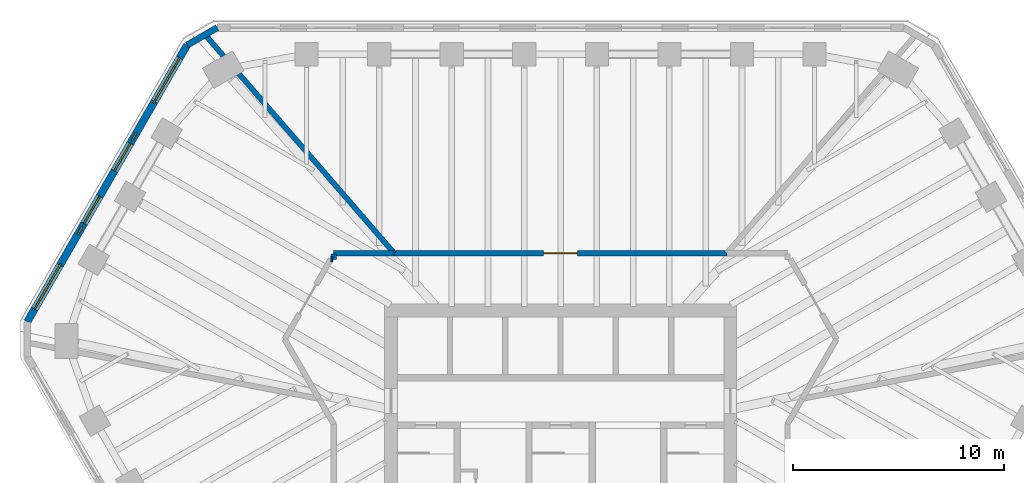
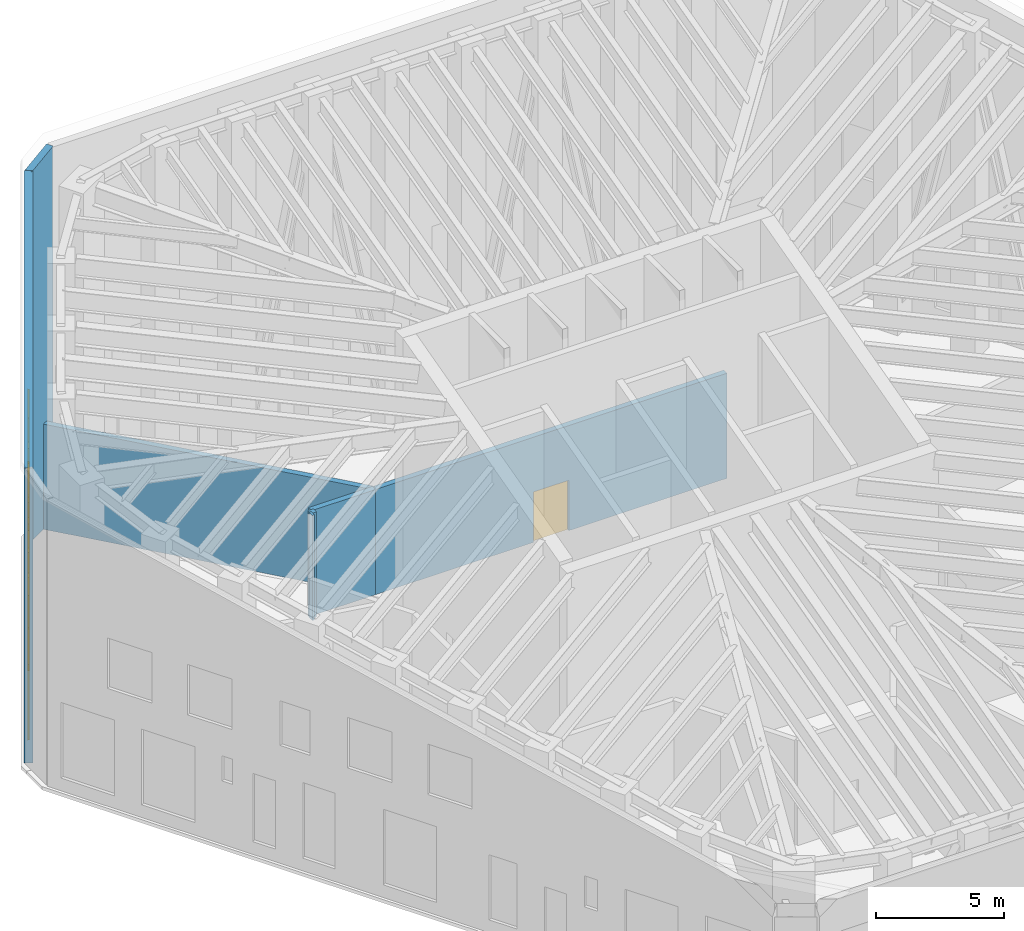
# One storey, part 7 of 9: 10 windows, 7 walls, 1 door, 11 openings.
"""IFC4 building model written with IfcOpenShell, lengths in metres."""

from ifc_helpers import new_model, si_unit, direction, frame, frame_2d, origin, place, context, subcontext, project, spatial, polyline, rectangle, outline, extrude, material, layer, layer_set, type_object, element, fill, save


model = new_model("IFC4")

# Units and contexts
model_context = context("Model", 3, precision=1e-05, world=origin(), true_north=direction((0.0, 1.0)))
body_context = subcontext(model_context, "Body", "Model", "MODEL_VIEW")
ifc_project = project(units=[si_unit("LENGTHUNIT", "METRE"), si_unit("AREAUNIT", "SQUARE_METRE"), si_unit("VOLUMEUNIT", "CUBIC_METRE"), si_unit("PLANEANGLEUNIT", "RADIAN"), si_unit("MASSUNIT", "GRAM", prefix="KILO")], contexts=[model_context])

# Site, building, storey
site_placement = place(None, origin())
site = spatial("IfcSite", under=ifc_project, at=site_placement, CompositionType="ELEMENT")
building_placement = place(site_placement, origin())
building = spatial("IfcBuilding", under=site, at=building_placement, Name="Sandreach Pilgrim Tower", CompositionType="ELEMENT")
storey_placement = place(building_placement, frame((0.0, 0.0, 298.800048828125)))
storey = spatial("IfcBuildingStorey", under=building, at=storey_placement, Name="L75", CompositionType="ELEMENT", Elevation=298.800048828125)

# Wall, openings, windows
ifc_material_1 = material(Name="Terracotta rainscreen on steel studs", Category="masonry")
ifc_layer_1 = layer(ifc_material_1, 0.35009765625)
ifc_layer_set_1 = layer_set([ifc_layer_1], Name="Crown screen wall")
wall_type_1 = type_object("IfcWallType", Name="Crown screen wall", PredefinedType="SOLIDWALL", material=ifc_layer_set_1)
wall_1_placement = place(storey_placement, frame((-25.3193359375, 5.861572265625, 0.0), z_axis=(0.0, 0.0, 1.0), x_axis=(0.499994633804, 0.866028501937, 0.0)))
wall_1 = element("IfcWall", 1, at=wall_1_placement, inside=storey, type_object=wall_type_1, Name="Crown screen wall L75 NW", PredefinedType="SOLIDWALL", context=body_context, shape_type="SweptSolid", body=[
    extrude(outline(polyline([(0.0, 0.0), (15.166748046875, 0.0), (15.166748046875, 17.548828125), (0.0, 14.029296875), (0.0, 0.0)])), frame((0.0, 0.175048828125, 0.0), z_axis=(0.0, -1.0, 0.0), x_axis=(1.0, 0.0, 0.0)), (0.0, 0.0, 1.0), 0.35009765625),
])
opening_1_placement = place(wall_1_placement, frame((0.69580078125, 0.0, 0.60009765625)))
opening_1 = element("IfcOpeningElement", 2, at=opening_1_placement, cuts=wall_1, Name="Opening WL2", PredefinedType="OPENING", context=body_context, shape_type="SweptSolid", body=[
    extrude(rectangle(XDim=2.39990234375, YDim=3.60009765625, at=frame_2d((1.199951171875, 1.800048828125))), frame((0.0, 0.18505859375, 0.0), z_axis=(0.0, -1.0, 0.0), x_axis=(1.0, 0.0, 0.0)), (0.0, 0.0, 1.0), 0.3701171875),
])
opening_2_placement = place(wall_1_placement, frame((5.385009765625, 0.0, 0.60107421875)))
opening_2 = element("IfcOpeningElement", 3, at=opening_2_placement, cuts=wall_1, Name="Opening WL2", PredefinedType="OPENING", context=body_context, shape_type="SweptSolid", body=[
    extrude(rectangle(XDim=1.501953125, YDim=3.59912109375, at=frame_2d((0.7509765625, 1.799560546875))), frame((0.0, 0.18505859375, 0.0), z_axis=(0.0, -1.0, 0.0), x_axis=(1.0, 0.0, 0.0)), (0.0, 0.0, 1.0), 0.3701171875),
])
opening_3_placement = place(wall_1_placement, frame((8.280029296875, 0.0, 0.60107421875)))
opening_3 = element("IfcOpeningElement", 4, at=opening_3_placement, cuts=wall_1, Name="Opening WL2", PredefinedType="OPENING", context=body_context, shape_type="SweptSolid", body=[
    extrude(rectangle(XDim=1.5009765625, YDim=3.59912109375, at=frame_2d((0.75048828125, 1.799560546875))), frame((0.0, 0.18505859375, 0.0), z_axis=(0.0, -1.0, 0.0), x_axis=(1.0, 0.0, 0.0)), (0.0, 0.0, 1.0), 0.3701171875),
])
opening_4_placement = place(wall_1_placement, frame((12.071044921875, 0.0, 0.60009765625)))
opening_4 = element("IfcOpeningElement", 5, at=opening_4_placement, cuts=wall_1, Name="Opening WL2", PredefinedType="OPENING", context=body_context, shape_type="SweptSolid", body=[
    extrude(rectangle(XDim=2.39990234375, YDim=3.60009765625, at=frame_2d((1.199951171875, 1.800048828125))), frame((0.0, 0.18505859375, 0.0), z_axis=(0.0, -1.0, 0.0), x_axis=(1.0, 0.0, 0.0)), (0.0, 0.0, 1.0), 0.3701171875),
])
opening_5_placement = place(wall_1_placement, frame((1.183349609375, 0.0, 5.60009765625)))
opening_5 = element("IfcOpeningElement", 6, at=opening_5_placement, cuts=wall_1, Name="Opening WL1", PredefinedType="OPENING", context=body_context, shape_type="SweptSolid", body=[
    extrude(rectangle(XDim=2.0, YDim=2.39990234375, at=frame_2d((1.0, 1.199951171875))), frame((0.0, 0.18505859375, 0.0), z_axis=(0.0, -1.0, 0.0), x_axis=(1.0, 0.0, 0.0)), (0.0, 0.0, 1.0), 0.3701171875),
])
opening_6_placement = place(wall_1_placement, frame((4.783935546875, 0.0, 6.35107421875)))
opening_6 = element("IfcOpeningElement", 7, at=opening_6_placement, cuts=wall_1, Name="Opening WL1", PredefinedType="OPENING", context=body_context, shape_type="SweptSolid", body=[
    extrude(rectangle(XDim=0.450927734375, YDim=1.64892578125, at=frame_2d((0.2255859375, 0.824462890625))), frame((0.0, 0.18505859375, 0.0), z_axis=(0.0, -1.0, 0.0), x_axis=(1.0, 0.0, 0.0)), (0.0, 0.0, 1.0), 0.3701171875),
])
opening_7_placement = place(wall_1_placement, frame((6.243896484375, 0.0, 5.60107421875)))
opening_7 = element("IfcOpeningElement", 8, at=opening_7_placement, cuts=wall_1, Name="Opening WL1", PredefinedType="OPENING", context=body_context, shape_type="SweptSolid", body=[
    extrude(rectangle(XDim=0.5390625, YDim=2.39892578125, at=frame_2d((0.26953125, 1.199462890625))), frame((0.0, 0.18505859375, 0.0), z_axis=(0.0, -1.0, 0.0), x_axis=(1.0, 0.0, 0.0)), (0.0, 0.0, 1.0), 0.3701171875),
])
opening_8_placement = place(wall_1_placement, frame((8.384033203125, 0.0, 5.60107421875)))
opening_8 = element("IfcOpeningElement", 9, at=opening_8_placement, cuts=wall_1, Name="Opening WL1", PredefinedType="OPENING", context=body_context, shape_type="SweptSolid", body=[
    extrude(rectangle(XDim=0.5380859375, YDim=2.39892578125, at=frame_2d((0.26904296875, 1.199462890625))), frame((0.0, 0.18505859375, 0.0), z_axis=(0.0, -1.0, 0.0), x_axis=(1.0, 0.0, 0.0)), (0.0, 0.0, 1.0), 0.3701171875),
])
opening_9_placement = place(wall_1_placement, frame((9.931884765625, 0.0, 6.35107421875)))
opening_9 = element("IfcOpeningElement", 10, at=opening_9_placement, cuts=wall_1, Name="Opening WL1", PredefinedType="OPENING", context=body_context, shape_type="SweptSolid", body=[
    extrude(rectangle(XDim=0.450927734375, YDim=1.64892578125, at=frame_2d((0.2255859375, 0.824462890625))), frame((0.0, 0.18505859375, 0.0), z_axis=(0.0, -1.0, 0.0), x_axis=(1.0, 0.0, 0.0)), (0.0, 0.0, 1.0), 0.3701171875),
])
opening_10_placement = place(wall_1_placement, frame((11.9833984375, 0.0, 5.60009765625)))
opening_10 = element("IfcOpeningElement", 11, at=opening_10_placement, cuts=wall_1, Name="Opening WL1", PredefinedType="OPENING", context=body_context, shape_type="SweptSolid", body=[
    extrude(rectangle(XDim=2.0, YDim=2.39990234375, at=frame_2d((1.0, 1.199951171875))), frame((0.0, 0.18505859375, 0.0), z_axis=(0.0, -1.0, 0.0), x_axis=(1.0, 0.0, 0.0)), (0.0, 0.0, 1.0), 0.3701171875),
])
ifc_material_2 = material(Name="Aluminium weather louvre", Category="aluminium")
window_type_1 = type_object("IfcWindowType", Name="Crown louvre window", PartitioningType="SINGLE_PANEL", PredefinedType="WINDOW", material=ifc_material_2)
window_1_placement = place(opening_5_placement, origin())
window_1 = element("IfcWindow", 12, at=window_1_placement, inside=storey, type_object=window_type_1, Name="Crown louvre NW 1", OverallHeight=2.39990234375, OverallWidth=2.0, PartitioningType="SINGLE_PANEL", PredefinedType="WINDOW", context=body_context, shape_type="SweptSolid", body=[
    extrude(rectangle(XDim=2.0, YDim=2.39990234375, at=frame_2d((1.0, 1.199951171875))), frame((0.0, 0.030029296875, 0.0), z_axis=(0.0, -1.0, 0.0), x_axis=(1.0, 0.0, 0.0)), (0.0, 0.0, 1.0), 0.06005859375),
])
fill(opening_5, window_1)
window_2_placement = place(opening_6_placement, origin())
window_2 = element("IfcWindow", 13, at=window_2_placement, inside=storey, type_object=window_type_1, Name="Crown louvre NW 2 (b)", OverallHeight=1.64892578125, OverallWidth=0.450927734375, PartitioningType="SINGLE_PANEL", PredefinedType="WINDOW", context=body_context, shape_type="SweptSolid", body=[
    extrude(rectangle(XDim=0.450927734375, YDim=1.64892578125, at=frame_2d((0.2255859375, 0.824462890625))), frame((0.0, 0.030029296875, 0.0), z_axis=(0.0, -1.0, 0.0), x_axis=(1.0, 0.0, 0.0)), (0.0, 0.0, 1.0), 0.06005859375),
])
fill(opening_6, window_2)
window_3_placement = place(opening_7_placement, origin())
window_3 = element("IfcWindow", 14, at=window_3_placement, inside=storey, type_object=window_type_1, Name="Crown louvre NW 2", OverallHeight=2.39892578125, OverallWidth=0.5390625, PartitioningType="SINGLE_PANEL", PredefinedType="WINDOW", context=body_context, shape_type="SweptSolid", body=[
    extrude(rectangle(XDim=0.5390625, YDim=2.39892578125, at=frame_2d((0.26953125, 1.199462890625))), frame((0.0, 0.030029296875, 0.0), z_axis=(0.0, -1.0, 0.0), x_axis=(1.0, 0.0, 0.0)), (0.0, 0.0, 1.0), 0.06005859375),
])
fill(opening_7, window_3)
window_4_placement = place(opening_8_placement, origin())
window_4 = element("IfcWindow", 15, at=window_4_placement, inside=storey, type_object=window_type_1, Name="Crown louvre NW 3", OverallHeight=2.39892578125, OverallWidth=0.5380859375, PartitioningType="SINGLE_PANEL", PredefinedType="WINDOW", context=body_context, shape_type="SweptSolid", body=[
    extrude(rectangle(XDim=0.5380859375, YDim=2.39892578125, at=frame_2d((0.26904296875, 1.199462890625))), frame((0.0, 0.030029296875, 0.0), z_axis=(0.0, -1.0, 0.0), x_axis=(1.0, 0.0, 0.0)), (0.0, 0.0, 1.0), 0.06005859375),
])
fill(opening_8, window_4)
window_5_placement = place(opening_9_placement, origin())
window_5 = element("IfcWindow", 16, at=window_5_placement, inside=storey, type_object=window_type_1, Name="Crown louvre NW 3 (b)", OverallHeight=1.64892578125, OverallWidth=0.450927734375, PartitioningType="SINGLE_PANEL", PredefinedType="WINDOW", context=body_context, shape_type="SweptSolid", body=[
    extrude(rectangle(XDim=0.450927734375, YDim=1.64892578125, at=frame_2d((0.2255859375, 0.824462890625))), frame((0.0, 0.030029296875, 0.0), z_axis=(0.0, -1.0, 0.0), x_axis=(1.0, 0.0, 0.0)), (0.0, 0.0, 1.0), 0.06005859375),
])
fill(opening_9, window_5)
window_6_placement = place(opening_10_placement, origin())
window_6 = element("IfcWindow", 17, at=window_6_placement, inside=storey, type_object=window_type_1, Name="Crown louvre NW 4", OverallHeight=2.39990234375, OverallWidth=2.0, PartitioningType="SINGLE_PANEL", PredefinedType="WINDOW", context=body_context, shape_type="SweptSolid", body=[
    extrude(rectangle(XDim=2.0, YDim=2.39990234375, at=frame_2d((1.0, 1.199951171875))), frame((0.0, 0.030029296875, 0.0), z_axis=(0.0, -1.0, 0.0), x_axis=(1.0, 0.0, 0.0)), (0.0, 0.0, 1.0), 0.06005859375),
])
fill(opening_10, window_6)
ifc_material_3 = material(Name="Aluminium weather louvre", Category="aluminium")
window_type_2 = type_object("IfcWindowType", Name="Plant louvre window", PartitioningType="SINGLE_PANEL", PredefinedType="WINDOW", material=ifc_material_3)
window_7_placement = place(opening_1_placement, origin())
window_7 = element("IfcWindow", 18, at=window_7_placement, inside=storey, type_object=window_type_2, Name="Plant louvre NW 1", OverallHeight=3.60009765625, OverallWidth=2.39990234375, PartitioningType="SINGLE_PANEL", PredefinedType="WINDOW", context=body_context, shape_type="SweptSolid", body=[
    extrude(rectangle(XDim=2.39990234375, YDim=3.60009765625, at=frame_2d((1.199951171875, 1.800048828125))), frame((0.0, 0.030029296875, 0.0), z_axis=(0.0, -1.0, 0.0), x_axis=(1.0, 0.0, 0.0)), (0.0, 0.0, 1.0), 0.06005859375),
])
fill(opening_1, window_7)
window_8_placement = place(opening_2_placement, origin())
window_8 = element("IfcWindow", 19, at=window_8_placement, inside=storey, type_object=window_type_2, Name="Plant louvre NW 2", OverallHeight=3.59912109375, OverallWidth=1.501953125, PartitioningType="SINGLE_PANEL", PredefinedType="WINDOW", context=body_context, shape_type="SweptSolid", body=[
    extrude(rectangle(XDim=1.501953125, YDim=3.59912109375, at=frame_2d((0.7509765625, 1.799560546875))), frame((0.0, 0.030029296875, 0.0), z_axis=(0.0, -1.0, 0.0), x_axis=(1.0, 0.0, 0.0)), (0.0, 0.0, 1.0), 0.06005859375),
])
fill(opening_2, window_8)
window_9_placement = place(opening_3_placement, origin())
window_9 = element("IfcWindow", 20, at=window_9_placement, inside=storey, type_object=window_type_2, Name="Plant louvre NW 3", OverallHeight=3.59912109375, OverallWidth=1.5009765625, PartitioningType="SINGLE_PANEL", PredefinedType="WINDOW", context=body_context, shape_type="SweptSolid", body=[
    extrude(rectangle(XDim=1.5009765625, YDim=3.59912109375, at=frame_2d((0.75048828125, 1.799560546875))), frame((0.0, 0.030029296875, 0.0), z_axis=(0.0, -1.0, 0.0), x_axis=(1.0, 0.0, 0.0)), (0.0, 0.0, 1.0), 0.06005859375),
])
fill(opening_3, window_9)
window_10_placement = place(opening_4_placement, origin())
window_10 = element("IfcWindow", 21, at=window_10_placement, inside=storey, type_object=window_type_2, Name="Plant louvre NW 4", OverallHeight=3.60009765625, OverallWidth=2.39990234375, PartitioningType="SINGLE_PANEL", PredefinedType="WINDOW", context=body_context, shape_type="SweptSolid", body=[
    extrude(rectangle(XDim=2.39990234375, YDim=3.60009765625, at=frame_2d((1.199951171875, 1.800048828125))), frame((0.0, 0.030029296875, 0.0), z_axis=(0.0, -1.0, 0.0), x_axis=(1.0, 0.0, 0.0)), (0.0, 0.0, 1.0), 0.06005859375),
])
fill(opening_4, window_10)

# Walls
ifc_material_4 = material(Name="Acoustic gypsum board wall, double frame", Category="gypsum")
ifc_layer_2 = layer(ifc_material_4, 0.25)
ifc_layer_set_2 = layer_set([ifc_layer_2], Name="Hall partition 250")
wall_type_2 = type_object("IfcWallType", Name="Hall partition 250", PredefinedType="PARTITIONING", material=ifc_layer_set_2)
wall_2_placement = place(storey_placement, frame((-10.820068359375, 8.830078125, 0.0), z_axis=(0.0, 0.0, 1.0), x_axis=(-1.0, 0.0, 0.0)))
element("IfcWall", 22, at=wall_2_placement, inside=storey, type_object=wall_type_2, Name="Hall partition L75-004", PredefinedType="PARTITIONING", context=body_context, shape_type="SweptSolid", body=[
    extrude(rectangle(XDim=0.08984375, YDim=0.25, at=frame_2d((0.044921875, 0.0))), origin(), (0.0, 0.0, 1.0), 5.0),
])
wall_3_placement = place(storey_placement, frame((-10.77001953125, 9.080078125, 0.0), z_axis=(0.0, 0.0, 1.0), x_axis=(0.0, -1.0, 0.0)))
element("IfcWall", 23, at=wall_3_placement, inside=storey, type_object=wall_type_2, Name="Hall partition L75-008", PredefinedType="PARTITIONING", context=body_context, shape_type="SweptSolid", body=[
    extrude(rectangle(XDim=0.25, YDim=0.25, at=frame_2d((0.125, 0.0))), origin(), (0.0, 0.0, 1.0), 5.0),
])
wall_4_placement = place(storey_placement, frame((-7.89990234375, 9.1201171875, 0.0), z_axis=(0.0, 0.0, 1.0), x_axis=(-0.654435464846, 0.756117862738, 0.0)))
element("IfcWall", 24, at=wall_4_placement, inside=storey, type_object=wall_type_2, Name="Hall partition L75-010", PredefinedType="PARTITIONING", context=body_context, shape_type="SweptSolid", body=[
    extrude(rectangle(XDim=13.57763671875, YDim=0.25, at=frame_2d((6.788818359375, 0.0))), origin(), (0.0, 0.0, 1.0), 5.0),
])
wall_5_placement = place(storey_placement, frame((-7.89990234375, 9.1201171875, 0.0), z_axis=(0.0, 0.0, 1.0), x_axis=(-1.0, 0.0, 0.0)))
element("IfcWall", 25, at=wall_5_placement, inside=storey, type_object=wall_type_2, Name="Hall partition L75-011", PredefinedType="PARTITIONING", context=body_context, shape_type="SweptSolid", body=[
    extrude(rectangle(XDim=2.8701171875, YDim=0.25, at=frame_2d((1.43505859375, 0.0))), origin(), (0.0, 0.0, 1.0), 5.0),
])

# Wall, opening, door
wall_6_placement = place(storey_placement, frame((7.89990234375, 9.1201171875, 0.0), z_axis=(0.0, 0.0, 1.0), x_axis=(-1.0, 0.0, 0.0)))
wall_6 = element("IfcWall", 26, at=wall_6_placement, inside=storey, type_object=wall_type_2, Name="Hall partition L75-020", PredefinedType="PARTITIONING", context=body_context, shape_type="SweptSolid", body=[
    extrude(rectangle(XDim=15.7998046875, YDim=0.25, at=frame_2d((7.89990234375, 0.0))), origin(), (0.0, 0.0, 1.0), 5.0),
])
opening_11_placement = place(wall_6_placement, frame((7.10009765625, 0.0, 0.0)))
opening_11 = element("IfcOpeningElement", 27, at=opening_11_placement, cuts=wall_6, Name="Opening D16-01", PredefinedType="OPENING", context=body_context, shape_type="SweptSolid", body=[
    extrude(rectangle(XDim=1.60009765625, YDim=2.39990234375, at=frame_2d((0.800048828125, 1.199951171875))), frame((0.0, 0.125, 0.0), z_axis=(0.0, -1.0, 0.0), x_axis=(1.0, 0.0, 0.0)), (0.0, 0.0, 1.0), 0.25),
])
ifc_material_5 = material(Name="Steel door and frame", Category="steel")
door_type = type_object("IfcDoorType", Name="Hall double door", OperationType="DOUBLE_DOOR_SINGLE_SWING", PredefinedType="DOOR", material=ifc_material_5)
door_placement = place(opening_11_placement, origin())
door = element("IfcDoor", 28, at=door_placement, inside=storey, type_object=door_type, Name="Door 7501", OperationType="DOUBLE_DOOR_SINGLE_SWING", OverallHeight=2.39990234375, OverallWidth=1.60009765625, PredefinedType="DOOR", context=body_context, shape_type="SweptSolid", body=[
    extrude(rectangle(XDim=1.60009765625, YDim=2.39990234375, at=frame_2d((0.800048828125, 1.199951171875))), frame((0.0, 0.02490234375, 0.0), z_axis=(0.0, -1.0, 0.0), x_axis=(1.0, 0.0, 0.0)), (0.0, 0.0, 1.0), 0.050048828125),
])
fill(opening_11, door)

# Wall
ifc_material_6 = material(Name="Terracotta rainscreen on concrete", Category="masonry")
ifc_layer_3 = layer(ifc_material_6, 0.300048828125)
ifc_layer_set_3 = layer_set([ifc_layer_3], Name="Terracotta chamfer pier")
wall_type_3 = type_object("IfcWallType", Name="Terracotta chamfer pier", PredefinedType="SOLIDWALL", material=ifc_layer_set_3)
wall_7_placement = place(storey_placement, frame((-17.736083984375, 18.996337890625, 0.0), z_axis=(0.0, 0.0, 1.0), x_axis=(0.866026405774, 0.499998264499, 0.0)))
element("IfcWall", 29, at=wall_7_placement, inside=storey, type_object=wall_type_3, Name="Chamfer pier L75 NW", PredefinedType="SOLIDWALL", context=body_context, shape_type="SweptSolid", body=[
    extrude(outline(polyline([(0.0, 0.0), (1.66015625, 0.0), (1.659912109375, 17.759765625), (0.0, 17.53759765625), (0.0, 0.0)])), frame((0.0, 0.14990234375, 0.0), z_axis=(0.0, -1.0, 0.0), x_axis=(1.0, 0.0, 0.0)), (0.0, 0.0, 1.0), 0.300048828125),
])

save(model, "model.ifc")
